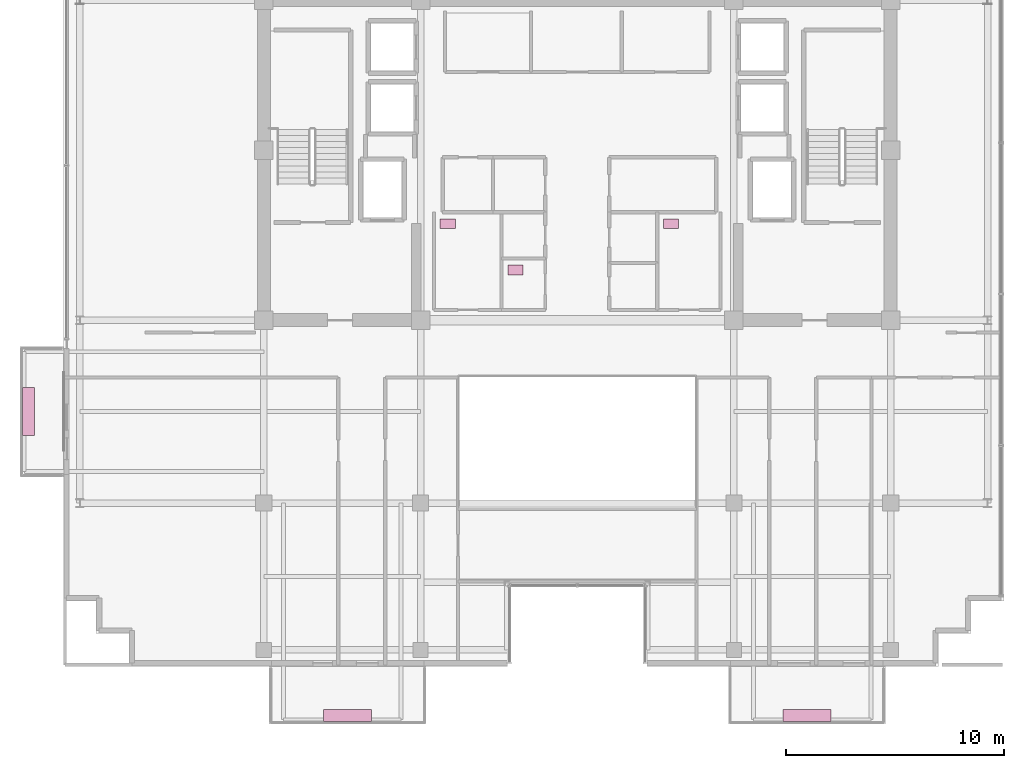
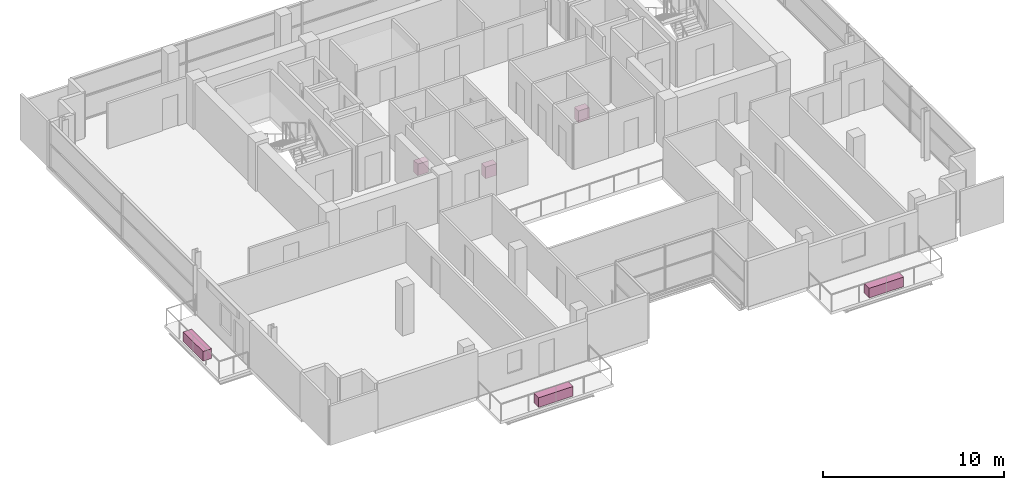
# One storey, part 22 of 22: 6 furnishings.
"""IFC4 building model written with IfcOpenShell, lengths in metres."""

from ifc_helpers import new_model, si_unit, direction, frame, origin, origin_2d, place, context, subcontext, project, spatial, rectangle, extrude, source, transform, mapped, material, type_object, element, save


model = new_model("IFC4")

# Units and contexts
model_context = context("Model", 3, precision=1e-05, world=origin(), true_north=direction((0.0, 1.0)))
body_context = subcontext(model_context, "Body", "Model", "MODEL_VIEW")
ifc_project = project(units=[si_unit("LENGTHUNIT", "METRE"), si_unit("AREAUNIT", "SQUARE_METRE"), si_unit("VOLUMEUNIT", "CUBIC_METRE"), si_unit("PLANEANGLEUNIT", "RADIAN"), si_unit("MASSUNIT", "GRAM", prefix="KILO")], contexts=[model_context])

# Site, building, storey
site_placement = place(None, origin())
site = spatial("IfcSite", under=ifc_project, at=site_placement, CompositionType="ELEMENT")
building_placement = place(site_placement, origin())
building = spatial("IfcBuilding", under=site, at=building_placement, Name="Zarnakvel Exchange Tower", CompositionType="ELEMENT")
storey_placement = place(building_placement, frame((0.0, 0.0, 228.699951171875)))
storey = spatial("IfcBuildingStorey", under=building, at=storey_placement, Name="L64", CompositionType="ELEMENT", Elevation=228.699951171875)

# Furnishings
ifc_material_1 = material(Name="Architectural Bronze Anodised Aluminium", Category="aluminium")
furnishing_element_type_1 = type_object("IfcFurnishingElementType", Name="PLNT-01", material=ifc_material_1)
shared_shape_1 = source(origin(), body_context, "Body", "SweptSolid", [
    extrude(rectangle(XDim=2.199951171875, YDim=0.550048828125, at=origin_2d()), origin(), (0.0, 0.0, 1.0), 0.64990234375),
])
for number, where, z_axis, x_axis, name in (
    (1, (-10.550048828125, -19.3701171875, -0.034912109375), (0.0, 0.0, 1.0), (1.0, 0.0, 0.0), "L64 Balcony Greenery Planter BAL-L64-SW"),
    (2, (10.550048828125, -19.3701171875, -0.034912109375), (0.0, 0.0, 1.0), (1.0, 0.0, 0.0), "L64 Balcony Greenery Planter BAL-L64-SE"),
    (3, (-25.219970703125, -5.39990234375, -0.034912109375), (0.0, 0.0, 1.0), (0.0, 1.0, 0.0), "L64 Balcony Greenery Planter BAL-L64-W"),
):
    element("IfcFurnishingElement", number, at=place(storey_placement, frame(where, z_axis=z_axis, x_axis=x_axis)), inside=storey, type_object=furnishing_element_type_1, Name=name, ObjectType="PLANTER", context=body_context, shape_type="MappedRepresentation", body=[
        mapped(shared_shape_1, transform((0.0, 0.0, 0.0), x_axis=(1.0, 0.0, 0.0), y_axis=(0.0, 1.0, 0.0), z_axis=(0.0, 0.0, 1.0), scale=1.0)),
    ])
ifc_material_2 = material(Name="Vitreous China Sanitaryware", Category="ceramic")
furnishing_element_type_2 = type_object("IfcFurnishingElementType", Name="SAN-WC", material=ifc_material_2)
shared_shape_2 = source(origin(), body_context, "Body", "SweptSolid", [
    extrude(rectangle(XDim=0.699951171875, YDim=0.449951171875, at=origin_2d()), origin(), (0.0, 0.0, 1.0), 0.780029296875),
])
for number, where, z_axis, x_axis, name in (
    (4, (-5.949951171875, 3.22998046875, 0.0), (0.0, 0.0, 1.0), (1.0, 0.0, 0.0), "L64 Sanitary Fixture (Male Toilet)"),
    (5, (-2.840087890625, 1.10009765625, 0.0), (0.0, 0.0, 1.0), (1.0, 0.0, 0.0), "L64 Sanitary Fixture (Accessible Toilet)"),
    (6, (4.31005859375, 3.22998046875, 0.0), (0.0, 0.0, 1.0), (1.0, 0.0, 0.0), "L64 Sanitary Fixture (Female Toilet)"),
):
    element("IfcFurnishingElement", number, at=place(storey_placement, frame(where, z_axis=z_axis, x_axis=x_axis)), inside=storey, type_object=furnishing_element_type_2, Name=name, ObjectType="SANITARY_FIXTURE", context=body_context, shape_type="MappedRepresentation", body=[
        mapped(shared_shape_2, transform((0.0, 0.0, 0.0), x_axis=(1.0, 0.0, 0.0), y_axis=(0.0, 1.0, 0.0), z_axis=(0.0, 0.0, 1.0), scale=1.0)),
    ])

save(model, "model.ifc")
